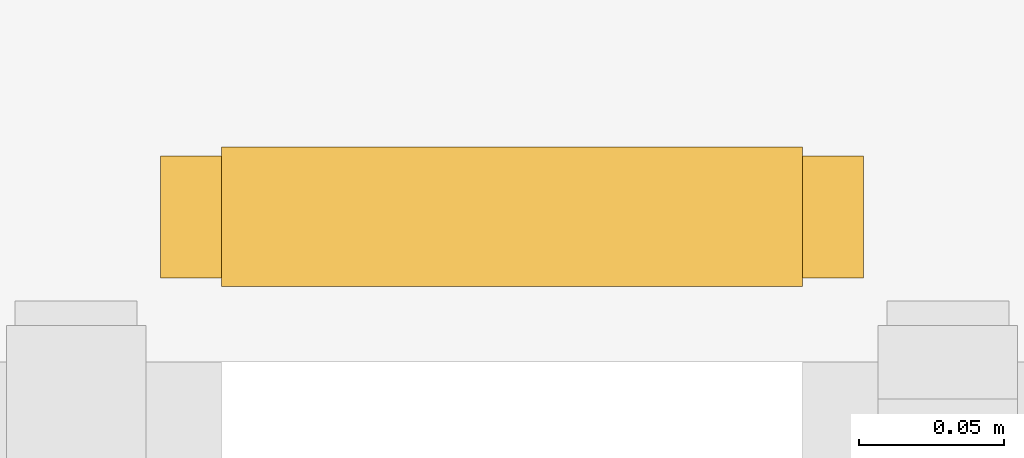
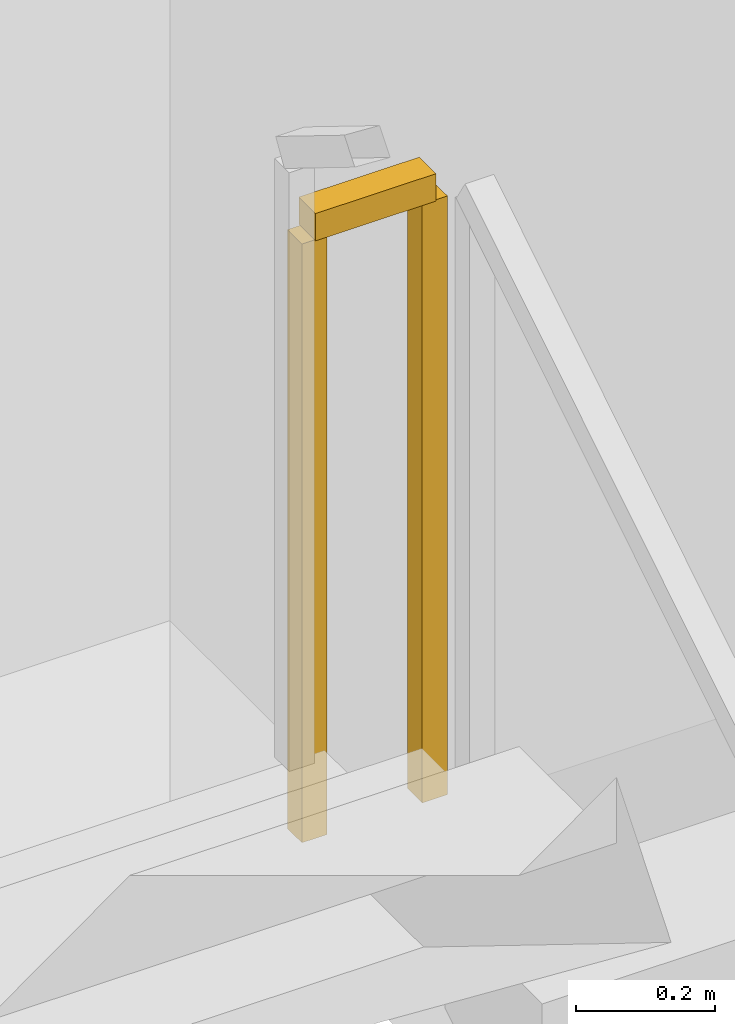
# One storey, part 25 of 26: 1 railing.
"""IFC4 building model written with IfcOpenShell, lengths in metres."""

from ifc_helpers import new_model, si_unit, direction, frame, origin, origin_2d, place, context, subcontext, project, spatial, rectangle, extrude, material, type_object, element, save


model = new_model("IFC4")

# Units and contexts
model_context = context("Model", 3, precision=1e-05, world=origin(), true_north=direction((0.0, 1.0)))
body_context = subcontext(model_context, "Body", "Model", "MODEL_VIEW")
ifc_project = project(units=[si_unit("LENGTHUNIT", "METRE"), si_unit("AREAUNIT", "SQUARE_METRE"), si_unit("VOLUMEUNIT", "CUBIC_METRE"), si_unit("PLANEANGLEUNIT", "RADIAN"), si_unit("MASSUNIT", "GRAM", prefix="KILO")], contexts=[model_context])

# Site, building, storey
site_placement = place(None, origin())
site = spatial("IfcSite", under=ifc_project, at=site_placement, CompositionType="ELEMENT")
building_placement = place(site_placement, origin())
building = spatial("IfcBuilding", under=site, at=building_placement, Name="Kiyonajd Concourse Tower", CompositionType="ELEMENT")
storey_placement = place(building_placement, origin())
storey = spatial("IfcBuildingStorey", under=building, at=storey_placement, Name="L01", CompositionType="ELEMENT", Elevation=0.0)

# Railing
ifc_material = material(Name="Steel ASTM A500 Grade C", Category="steel")
railing_type = type_object("IfcRailingType", Name="RL-GRD-STR", PredefinedType="GUARDRAIL", material=ifc_material)
railing_placement = place(storey_placement, frame((84.89990234375, 33.06005859375, 2.25)))
element("IfcRailing", 1, at=railing_placement, inside=storey, type_object=railing_type, Name="L01 ST5 stair guard 2", PredefinedType="GUARDRAIL", context=body_context, shape_type="SweptSolid", body=[
    extrude(rectangle(XDim=0.048095703125, YDim=0.048095703125, at=origin_2d()), frame((0.0, 0.0, 1.076171875), z_axis=(-1.0, 0.0, 0.0), x_axis=(0.0, -1.0, 0.0)), (0.0, 0.0, 1.0), 0.199951171875),
    extrude(rectangle(XDim=0.0419921875, YDim=0.0419921875, at=origin_2d()), origin(), (0.0, 0.0, 1.0), 1.052001953125),
    extrude(rectangle(XDim=0.0419921875, YDim=0.0419921875, at=origin_2d()), frame((-0.199951171875, 0.0, 0.0)), (0.0, 0.0, 1.0), 1.052001953125),
])

save(model, "model.ifc")
